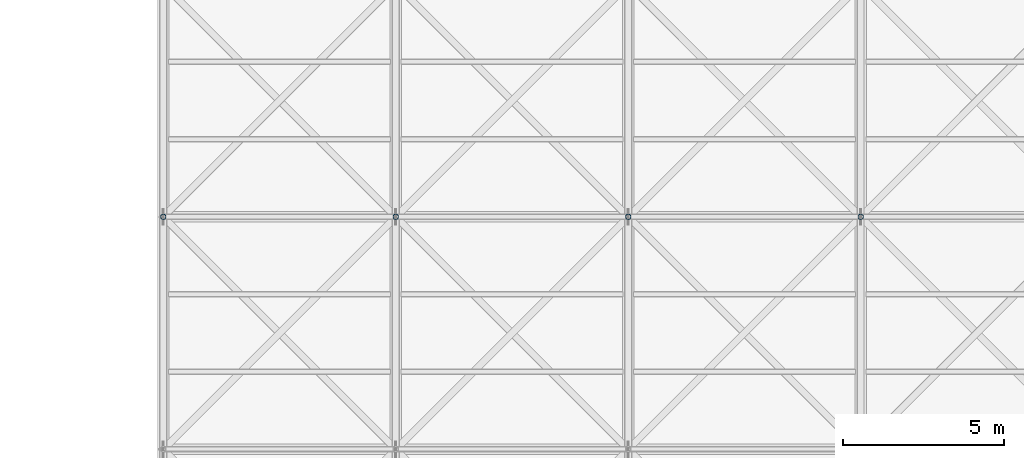
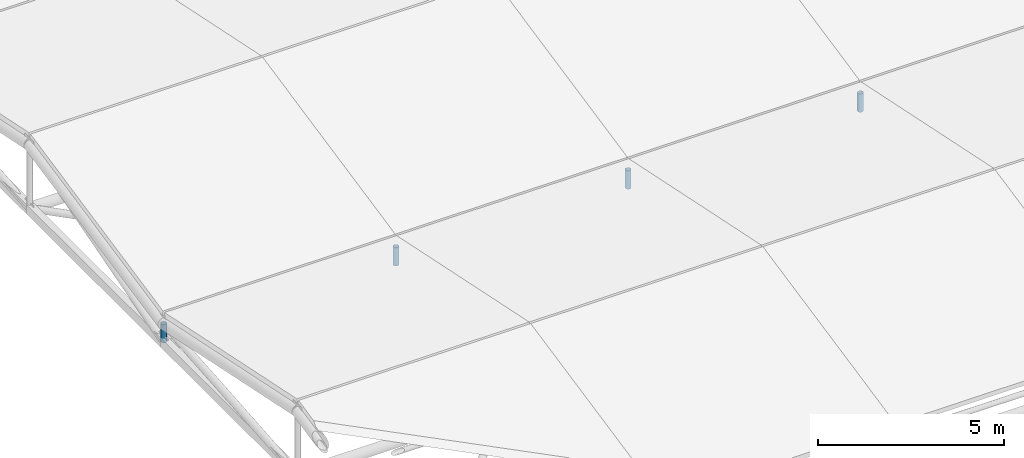
# One storey, part 44 of 72: 4 members.
"""IFC4 building model written with IfcOpenShell, lengths in metres."""

from ifc_helpers import new_model, si_unit, direction, frame, origin, origin_2d, place, context, subcontext, project, spatial, hollow_circle, extrude, material, material_profile, profile_set, type_object, element, save


model = new_model("IFC4")

# Units and contexts
model_context = context("Model", 3, precision=1e-05, world=origin(), true_north=direction((0.0, 1.0)))
body_context = subcontext(model_context, "Body", "Model", "MODEL_VIEW")
ifc_project = project(units=[si_unit("LENGTHUNIT", "METRE"), si_unit("AREAUNIT", "SQUARE_METRE"), si_unit("VOLUMEUNIT", "CUBIC_METRE"), si_unit("PLANEANGLEUNIT", "RADIAN"), si_unit("MASSUNIT", "GRAM", prefix="KILO")], contexts=[model_context])

# Site, building, storey
site_placement = place(None, origin())
site = spatial("IfcSite", under=ifc_project, at=site_placement, CompositionType="ELEMENT")
building_placement = place(site_placement, origin())
building = spatial("IfcBuilding", under=site, at=building_placement, Name="Vaelcorin Mobility Hub", CompositionType="ELEMENT")
storey_placement = place(building_placement, frame((0.0, 0.0, 25.800048828125)))
storey = spatial("IfcBuildingStorey", under=building, at=storey_placement, Name="RF", CompositionType="ELEMENT", Elevation=25.800048828125)

# Members
ifc_material = material(Name="Steel ASTM A500 Grade C", Category="steel")
ifc_material_profile = material_profile(ifc_material, hollow_circle(Radius=0.084228515625, WallThickness=0.0078125, at=origin_2d()), Name="HSS6.625X0.312")
ifc_profile_set = profile_set([ifc_material_profile], Name="Steel ASTM A500 Grade C")
member_type = type_object("IfcMemberType", Name="TR-POST-6", PredefinedType="POST", material=ifc_profile_set)
for number, where, z_axis, x_axis, name in (
    (1, (43.199951171875, 98.39990234375, -2.10009765625), (0.0, 0.0, 1.0), (1.0, 0.0, 0.0), "Sports Pavilion Roof Truss Post 1-2"),
    (2, (50.39990234375, 98.39990234375, -2.10009765625), (0.0, 0.0, 1.0), (1.0, 0.0, 0.0), "Sports Pavilion Roof Truss Post 2-2"),
    (3, (57.60009765625, 98.39990234375, -2.10009765625), (0.0, 0.0, 1.0), (1.0, 0.0, 0.0), "Sports Pavilion Roof Truss Post 3-2"),
    (4, (64.800048828125, 98.39990234375, -2.10009765625), (0.0, 0.0, 1.0), (1.0, 0.0, 0.0), "Sports Pavilion Roof Truss Post 4-2"),
):
    element("IfcMember", number, at=place(storey_placement, frame(where, z_axis=z_axis, x_axis=x_axis)), inside=storey, type_object=member_type, Name=name, PredefinedType="POST", context=body_context, shape_type="SweptSolid", body=[
        extrude(hollow_circle(Radius=0.084228515625, WallThickness=0.0078125, at=origin_2d()), origin(), (0.0, 0.0, 1.0), 0.60009765625),
    ])

save(model, "model.ifc")
